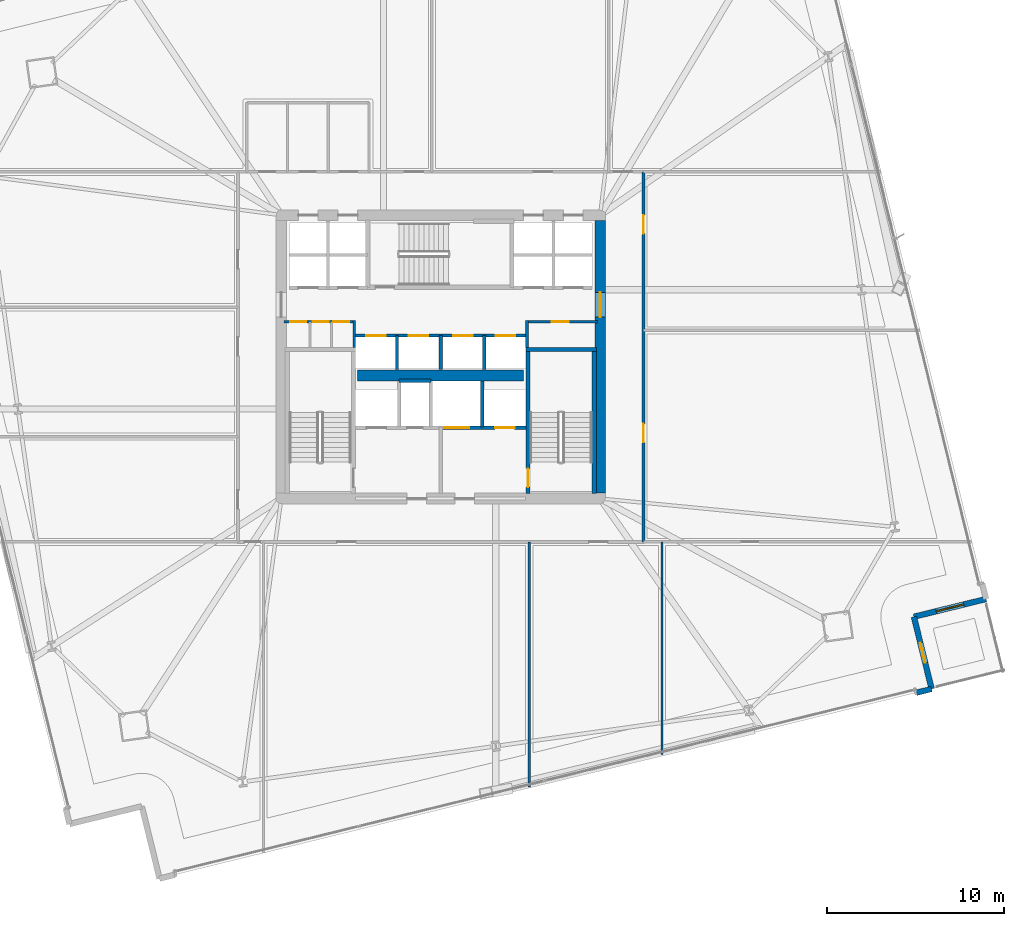
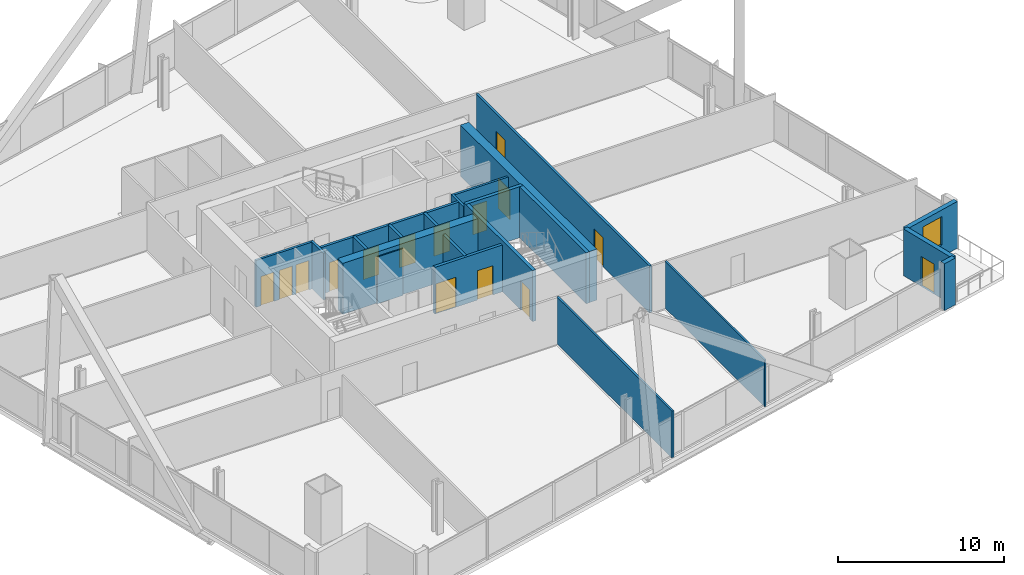
# One storey, part 25 of 32: 22 walls, 15 doors, 1 window, 16 openings.
"""IFC4 building model written with IfcOpenShell, lengths in metres."""

from ifc_helpers import new_model, si_unit, direction, frame, frame_2d, origin, place, context, subcontext, project, spatial, rectangle, extrude, material, layer, layer_set, type_object, element, fill, save


model = new_model("IFC4")

# Units and contexts
model_context = context("Model", 3, precision=1e-05, world=origin(), true_north=direction((0.0, 1.0)))
body_context = subcontext(model_context, "Body", "Model", "MODEL_VIEW")
ifc_project = project(units=[si_unit("LENGTHUNIT", "METRE"), si_unit("AREAUNIT", "SQUARE_METRE"), si_unit("VOLUMEUNIT", "CUBIC_METRE"), si_unit("PLANEANGLEUNIT", "RADIAN"), si_unit("MASSUNIT", "GRAM", prefix="KILO")], contexts=[model_context])

# Site, building, storey
site_placement = place(None, origin())
site = spatial("IfcSite", under=ifc_project, at=site_placement, CompositionType="ELEMENT")
building_placement = place(site_placement, origin())
building = spatial("IfcBuilding", under=site, at=building_placement, Name="Haldenkirk Collegiate Tower", CompositionType="ELEMENT")
storey_placement = place(building_placement, frame((0.0, 0.0, 73.949951171875)))
storey = spatial("IfcBuildingStorey", under=building, at=storey_placement, Name="L17", CompositionType="ELEMENT", Elevation=73.949951171875)

# Wall, opening, door
ifc_material_1 = material(Name="Concrete f'c 70 MPa", Category="concrete")
ifc_layer_1 = layer(ifc_material_1, 0.60009765625)
ifc_layer_set_1 = layer_set([ifc_layer_1], Name="Concrete f'c 70 MPa")
wall_type_1 = type_object("IfcWallType", Name="WL-CORE-600", PredefinedType="SHEAR", material=ifc_layer_set_1)
wall_1_placement = place(storey_placement, frame((45.0, 18.300048828125, 0.0), z_axis=(0.0, 0.0, 1.0), x_axis=(0.0, 1.0, 0.0)))
wall_1 = element("IfcWall", 1, at=wall_1_placement, inside=storey, type_object=wall_type_1, Name="L17 central core shear wall E", PredefinedType="SHEAR", context=body_context, shape_type="SweptSolid", body=[
    extrude(rectangle(XDim=15.39990234375, YDim=0.60009765625, at=frame_2d((7.699951171875, 0.0))), origin(), (0.0, 0.0, 1.0), 3.75),
])
opening_1_placement = place(wall_1_placement, frame((9.93994140625, 0.0, 0.0)))
opening_1 = element("IfcOpeningElement", 2, at=opening_1_placement, cuts=wall_1, Name="Opening D-03", PredefinedType="OPENING", context=body_context, shape_type="SweptSolid", body=[
    extrude(rectangle(XDim=1.39990234375, YDim=2.199951171875, at=frame_2d((0.699951171875, 1.10009765625))), frame((0.0, 0.31005859375, 0.0), z_axis=(0.0, -1.0, 0.0), x_axis=(1.0, 0.0, 0.0)), (0.0, 0.0, 1.0), 0.6201171875),
])
ifc_material_2 = material(Name="Galvanized fire-rated hollow steel door", Category="steel")
ifc_layer_2 = layer(ifc_material_2, 0.06005859375)
ifc_layer_set_2 = layer_set([ifc_layer_2], Name="Galvanized fire-rated hollow steel door")
door_type_1 = type_object("IfcDoorType", Name="DR-LOBBY-FD90-1400", OperationType="NOTDEFINED", PredefinedType="DOOR", material=ifc_layer_set_2)
door_1_placement = place(opening_1_placement, origin())
door_1 = element("IfcDoor", 3, at=door_1_placement, inside=storey, type_object=door_type_1, Name="L17 east lift lobby portal", OperationType="DOUBLE_DOOR_SINGLE_SWING", OverallHeight=2.199951171875, OverallWidth=1.39990234375, PredefinedType="DOOR", context=body_context, shape_type="SweptSolid", body=[
    extrude(rectangle(XDim=1.39990234375, YDim=2.199951171875, at=frame_2d((0.699951171875, 1.10009765625))), frame((0.0, 0.02490234375, 0.0), z_axis=(0.0, -1.0, 0.0), x_axis=(1.0, 0.0, 0.0)), (0.0, 0.0, 1.0), 0.050048828125),
])
fill(opening_1, door_1)

# Walls
wall_2_placement = place(storey_placement, frame((31.31005859375, 24.949951171875, 0.0), z_axis=(0.0, 0.0, 1.0), x_axis=(1.0, 0.0, 0.0)))
element("IfcWall", 4, at=wall_2_placement, inside=storey, type_object=wall_type_1, Name="L17 central core spine shear wall", PredefinedType="SHEAR", context=body_context, shape_type="SweptSolid", body=[
    extrude(rectangle(XDim=9.3798828125, YDim=0.60009765625, at=frame_2d((4.68994140625, 0.0))), origin(), (0.0, 0.0, 1.0), 3.75),
])
ifc_material_3 = material(Name="Precast concrete f'c 40 MPa", Category="concrete")
ifc_layer_3 = layer(ifc_material_3, 0.320068359375)
ifc_layer_set_3 = layer_set([ifc_layer_3], Name="Precast concrete f'c 40 MPa")
wall_type_2 = type_object("IfcWallType", Name="WL-EXT-TWR-320", PredefinedType="STANDARD", material=ifc_layer_set_3)
wall_3_placement = place(storey_placement, frame((63.7236328125, 7.24658203125, 0.0), z_axis=(0.0, 0.0, 1.0), x_axis=(-0.971155160294, -0.238448431815, 0.0)))
element("IfcWall", 5, at=wall_3_placement, inside=storey, type_object=wall_type_2, Name="L17 precast corner pier SL", PredefinedType="STANDARD", context=body_context, shape_type="SweptSolid", body=[
    extrude(rectangle(XDim=0.89990234375, YDim=0.320068359375, at=frame_2d((0.449951171875, 0.0))), origin(), (0.0, 0.0, 1.0), 3.43994140625),
])

# Wall, opening, door
wall_4_placement = place(storey_placement, frame((62.7216796875, 11.325439453125, 0.0), z_axis=(0.0, 0.0, 1.0), x_axis=(0.238553587824, -0.971129335226, 0.0)))
wall_4 = element("IfcWall", 6, at=wall_4_placement, inside=storey, type_object=wall_type_2, Name="L17 bronze precast notch wall 02", PredefinedType="STANDARD", context=body_context, shape_type="SweptSolid", body=[
    extrude(rectangle(XDim=4.2001953125, YDim=0.320068359375, at=frame_2d((2.10009765625, 0.0))), origin(), (0.0, 0.0, 1.0), 3.43994140625),
])
opening_2_placement = place(wall_4_placement, frame((1.52490234375, 0.0, 0.0)))
opening_2 = element("IfcOpeningElement", 7, at=opening_2_placement, cuts=wall_4, Name="Opening D-ST11", PredefinedType="OPENING", context=body_context, shape_type="SweptSolid", body=[
    extrude(rectangle(XDim=1.14990234375, YDim=2.199951171875, at=frame_2d((0.574951171875, 1.10009765625))), frame((0.0, 0.169921875, 0.0), z_axis=(0.0, -1.0, 0.0), x_axis=(1.0, 0.0, 0.0)), (0.0, 0.0, 1.0), 0.340087890625),
])
ifc_material_4 = material(Name="Anodised architectural bronze aluminium", Category="aluminium")
ifc_layer_4 = layer(ifc_material_4, 0.080078125)
ifc_layer_set_4 = layer_set([ifc_layer_4], Name="Anodised architectural bronze aluminium")
door_type_2 = type_object("IfcDoorType", Name="DR-EXT-STER-1150", OperationType="NOTDEFINED", PredefinedType="DOOR", material=ifc_layer_set_4)
door_2_placement = place(opening_2_placement, origin())
door_2 = element("IfcDoor", 8, at=door_2_placement, inside=storey, type_object=door_type_2, Name="L17 spiralling terrace door", OperationType="SINGLE_SWING_RIGHT", OverallHeight=2.199951171875, OverallWidth=1.14990234375, PredefinedType="DOOR", context=body_context, shape_type="SweptSolid", body=[
    extrude(rectangle(XDim=1.14990234375, YDim=2.199951171875, at=frame_2d((0.574951171875, 1.10009765625))), frame((0.0, 0.02490234375, 0.0), z_axis=(0.0, -1.0, 0.0), x_axis=(1.0, 0.0, 0.0)), (0.0, 0.0, 1.0), 0.050048828125),
])
fill(opening_2, door_2)

# Wall, opening, window
wall_5_placement = place(storey_placement, frame((66.800537109375, 12.327392578125, 0.0), z_axis=(0.0, 0.0, 1.0), x_axis=(-0.971129335226, -0.238553587824, 0.0)))
wall_5 = element("IfcWall", 9, at=wall_5_placement, inside=storey, type_object=wall_type_2, Name="L17 bronze precast notch wall 03", PredefinedType="STANDARD", context=body_context, shape_type="SweptSolid", body=[
    extrude(rectangle(XDim=4.2001953125, YDim=0.320068359375, at=frame_2d((2.10009765625, 0.0))), origin(), (0.0, 0.0, 1.0), 3.43994140625),
])
opening_3_placement = place(wall_5_placement, frame((1.300048828125, 0.0, 0.85009765625)))
opening_3 = element("IfcOpeningElement", 10, at=opening_3_placement, cuts=wall_5, Name="Opening W-03", PredefinedType="OPENING", context=body_context, shape_type="SweptSolid", body=[
    extrude(rectangle(XDim=1.60009765625, YDim=2.10009765625, at=frame_2d((0.800048828125, 1.050048828125))), frame((0.0, 0.169921875, 0.0), z_axis=(0.0, -1.0, 0.0), x_axis=(1.0, 0.0, 0.0)), (0.0, 0.0, 1.0), 0.340087890625),
])
ifc_material_5 = material(Name="Low-E argon triple insulating glass", Category="glass")
ifc_layer_5 = layer(ifc_material_5, 0.090087890625)
ifc_layer_set_5 = layer_set([ifc_layer_5], Name="Low-E argon triple insulating glass")
window_type = type_object("IfcWindowType", Name="WN-Z1-1600X2100", PartitioningType="SINGLE_PANEL", PredefinedType="WINDOW", material=ifc_layer_set_5)
window_placement = place(opening_3_placement, origin())
window = element("IfcWindow", 11, at=window_placement, inside=storey, type_object=window_type, Name="L17 precast-frame academic window 2", OverallHeight=2.10009765625, OverallWidth=1.60009765625, PartitioningType="SINGLE_PANEL", PredefinedType="WINDOW", context=body_context, shape_type="SweptSolid", body=[
    extrude(rectangle(XDim=1.60009765625, YDim=2.10009765625, at=frame_2d((0.800048828125, 1.050048828125))), frame((0.0, 0.030029296875, 0.0), z_axis=(0.0, -1.0, 0.0), x_axis=(1.0, 0.0, 0.0)), (0.0, 0.0, 1.0), 0.06005859375),
])
fill(opening_3, window)

# Wall, openings, doors
ifc_material_6 = material(Name="Acoustic fire-rated gypsum partition", Category="concrete")
ifc_layer_6 = layer(ifc_material_6, 0.159912109375)
ifc_layer_set_6 = layer_set([ifc_layer_6], Name="Acoustic fire-rated gypsum partition")
wall_type_3 = type_object("IfcWallType", Name="WL-INT-CORR-160", PredefinedType="PARTITIONING", material=ifc_layer_set_6)
wall_6_placement = place(storey_placement, frame((27.14990234375, 27.97998046875, 0.0), z_axis=(0.0, 0.0, 1.0), x_axis=(1.0, 0.0, 0.0)))
wall_6 = element("IfcWall", 12, at=wall_6_placement, inside=storey, type_object=wall_type_3, Name="L17 interior partition IW-L17-VCSW-N", PredefinedType="PARTITIONING", context=body_context, shape_type="SweptSolid", body=[
    extrude(rectangle(XDim=4.050048828125, YDim=0.159912109375, at=frame_2d((2.02490234375, 0.0))), origin(), (0.0, 0.0, 1.0), 3.43994140625),
])
opening_4_placement = place(wall_6_placement, frame((0.360107421875, 0.0, 0.0)))
opening_4 = element("IfcOpeningElement", 13, at=opening_4_placement, cuts=wall_6, Name="Opening D-11", PredefinedType="OPENING", context=body_context, shape_type="SweptSolid", body=[
    extrude(rectangle(XDim=0.89990234375, YDim=2.14990234375, at=frame_2d((0.449951171875, 1.074951171875))), frame((0.0, 0.08984375, 0.0), z_axis=(0.0, -1.0, 0.0), x_axis=(1.0, 0.0, 0.0)), (0.0, 0.0, 1.0), 0.179931640625),
])
opening_5_placement = place(wall_6_placement, frame((1.6298828125, 0.0, 0.0)))
opening_5 = element("IfcOpeningElement", 14, at=opening_5_placement, cuts=wall_6, Name="Opening D-11", PredefinedType="OPENING", context=body_context, shape_type="SweptSolid", body=[
    extrude(rectangle(XDim=0.89990234375, YDim=2.14990234375, at=frame_2d((0.449951171875, 1.074951171875))), frame((0.0, 0.08984375, 0.0), z_axis=(0.0, -1.0, 0.0), x_axis=(1.0, 0.0, 0.0)), (0.0, 0.0, 1.0), 0.179931640625),
])
opening_6_placement = place(wall_6_placement, frame((2.78759765625, 0.0, 0.0)))
opening_6 = element("IfcOpeningElement", 15, at=opening_6_placement, cuts=wall_6, Name="Opening D-11", PredefinedType="OPENING", context=body_context, shape_type="SweptSolid", body=[
    extrude(rectangle(XDim=0.89990234375, YDim=2.14990234375, at=frame_2d((0.449951171875, 1.074951171875))), frame((0.0, 0.08984375, 0.0), z_axis=(0.0, -1.0, 0.0), x_axis=(1.0, 0.0, 0.0)), (0.0, 0.0, 1.0), 0.179931640625),
])
ifc_material_7 = material(Name="Solid-core architectural oak fire door", Category="wood")
ifc_layer_7 = layer(ifc_material_7, 0.06005859375)
ifc_layer_set_7 = layer_set([ifc_layer_7], Name="Solid-core architectural oak fire door")
door_type_3 = type_object("IfcDoorType", Name="DR-INT-FD60-900", OperationType="NOTDEFINED", PredefinedType="DOOR", material=ifc_layer_set_7)
door_3_placement = place(opening_4_placement, origin())
door_3 = element("IfcDoor", 16, at=door_3_placement, inside=storey, type_object=door_type_3, Name="L17 core study booth door", OperationType="SINGLE_SWING_RIGHT", OverallHeight=2.14990234375, OverallWidth=0.89990234375, PredefinedType="DOOR", context=body_context, shape_type="SweptSolid", body=[
    extrude(rectangle(XDim=0.89990234375, YDim=2.14990234375, at=frame_2d((0.449951171875, 1.074951171875))), frame((0.0, 0.02490234375, 0.0), z_axis=(0.0, -1.0, 0.0), x_axis=(1.0, 0.0, 0.0)), (0.0, 0.0, 1.0), 0.050048828125),
])
fill(opening_4, door_3)
door_4_placement = place(opening_5_placement, origin())
door_4 = element("IfcDoor", 17, at=door_4_placement, inside=storey, type_object=door_type_3, Name="L17 core cleaners door", OperationType="SINGLE_SWING_LEFT", OverallHeight=2.14990234375, OverallWidth=0.89990234375, PredefinedType="DOOR", context=body_context, shape_type="SweptSolid", body=[
    extrude(rectangle(XDim=0.89990234375, YDim=2.14990234375, at=frame_2d((0.449951171875, 1.074951171875))), frame((0.0, 0.02490234375, 0.0), z_axis=(0.0, -1.0, 0.0), x_axis=(1.0, 0.0, 0.0)), (0.0, 0.0, 1.0), 0.050048828125),
])
fill(opening_5, door_4)
door_5_placement = place(opening_6_placement, origin())
door_5 = element("IfcDoor", 18, at=door_5_placement, inside=storey, type_object=door_type_3, Name="L17 core stationery door", OperationType="SINGLE_SWING_RIGHT", OverallHeight=2.14990234375, OverallWidth=0.89990234375, PredefinedType="DOOR", context=body_context, shape_type="SweptSolid", body=[
    extrude(rectangle(XDim=0.89990234375, YDim=2.14990234375, at=frame_2d((0.449951171875, 1.074951171875))), frame((0.0, 0.02490234375, 0.0), z_axis=(0.0, -1.0, 0.0), x_axis=(1.0, 0.0, 0.0)), (0.0, 0.0, 1.0), 0.050048828125),
])
fill(opening_6, door_5)

# Wall
wall_7_placement = place(storey_placement, frame((31.1201171875, 26.5400390625, 0.0), z_axis=(0.0, 0.0, 1.0), x_axis=(0.0, 1.0, 0.0)))
element("IfcWall", 19, at=wall_7_placement, inside=storey, type_object=wall_type_3, Name="L17 interior partition IW-L17-VCSW-E", PredefinedType="PARTITIONING", context=body_context, shape_type="SweptSolid", body=[
    extrude(rectangle(XDim=1.510009765625, YDim=0.159912109375, at=frame_2d((0.7548828125, 0.0))), origin(), (0.0, 0.0, 1.0), 3.43994140625),
])

# Wall, opening, door
wall_8_placement = place(storey_placement, frame((40.800048828125, 27.97998046875, 0.0), z_axis=(0.0, 0.0, 1.0), x_axis=(1.0, 0.0, 0.0)))
wall_8 = element("IfcWall", 20, at=wall_8_placement, inside=storey, type_object=wall_type_3, Name="L17 interior partition IW-L17-VCSE-N", PredefinedType="PARTITIONING", context=body_context, shape_type="SweptSolid", body=[
    extrude(rectangle(XDim=4.050048828125, YDim=0.159912109375, at=frame_2d((2.02490234375, 0.0))), origin(), (0.0, 0.0, 1.0), 3.43994140625),
])
opening_7_placement = place(wall_8_placement, frame((1.47509765625, 0.0, 0.0)))
opening_7 = element("IfcOpeningElement", 21, at=opening_7_placement, cuts=wall_8, Name="Opening D-10", PredefinedType="OPENING", context=body_context, shape_type="SweptSolid", body=[
    extrude(rectangle(XDim=0.949951171875, YDim=2.14990234375, at=frame_2d((0.47509765625, 1.074951171875))), frame((0.0, 0.08984375, 0.0), z_axis=(0.0, -1.0, 0.0), x_axis=(1.0, 0.0, 0.0)), (0.0, 0.0, 1.0), 0.179931640625),
])
ifc_layer_8 = layer(ifc_material_7, 0.06005859375)
ifc_layer_set_8 = layer_set([ifc_layer_8], Name="Solid-core architectural oak fire door")
door_type_4 = type_object("IfcDoorType", Name="DR-INT-FD60-950", OperationType="NOTDEFINED", PredefinedType="DOOR", material=ifc_layer_set_8)
door_6_placement = place(opening_7_placement, origin())
door_6 = element("IfcDoor", 22, at=door_6_placement, inside=storey, type_object=door_type_4, Name="L17 core archive vault door", OperationType="SINGLE_SWING_LEFT", OverallHeight=2.14990234375, OverallWidth=0.949951171875, PredefinedType="DOOR", context=body_context, shape_type="SweptSolid", body=[
    extrude(rectangle(XDim=0.949951171875, YDim=2.14990234375, at=frame_2d((0.47509765625, 1.074951171875))), frame((0.0, 0.02490234375, 0.0), z_axis=(0.0, -1.0, 0.0), x_axis=(1.0, 0.0, 0.0)), (0.0, 0.0, 1.0), 0.050048828125),
])
fill(opening_7, door_6)

# Wall
wall_9_placement = place(storey_placement, frame((40.8798828125, 26.5400390625, 0.0), z_axis=(0.0, 0.0, 1.0), x_axis=(0.0, 1.0, 0.0)))
element("IfcWall", 23, at=wall_9_placement, inside=storey, type_object=wall_type_3, Name="L17 interior partition IW-L17-VCSE-W", PredefinedType="PARTITIONING", context=body_context, shape_type="SweptSolid", body=[
    extrude(rectangle(XDim=1.510009765625, YDim=0.159912109375, at=frame_2d((0.7548828125, 0.0))), origin(), (0.0, 0.0, 1.0), 3.43994140625),
])

# Wall, openings, doors
wall_10_placement = place(storey_placement, frame((47.449951171875, 15.550048828125, 0.0), z_axis=(0.0, 0.0, 1.0), x_axis=(0.0, 1.0, 0.0)))
wall_10 = element("IfcWall", 24, at=wall_10_placement, inside=storey, type_object=wall_type_3, Name="L17 interior partition IW-L17-CE", PredefinedType="PARTITIONING", context=body_context, shape_type="SweptSolid", body=[
    extrude(rectangle(XDim=20.89990234375, YDim=0.159912109375, at=frame_2d((10.449951171875, 0.0))), origin(), (0.0, 0.0, 1.0), 3.43994140625),
])
opening_8_placement = place(wall_10_placement, frame((5.615966796875, 0.0, 0.0)))
opening_8 = element("IfcOpeningElement", 25, at=opening_8_placement, cuts=wall_10, Name="Opening D-09", PredefinedType="OPENING", context=body_context, shape_type="SweptSolid", body=[
    extrude(rectangle(XDim=1.050048828125, YDim=2.14990234375, at=frame_2d((0.52490234375, 1.074951171875))), frame((0.0, 0.08984375, 0.0), z_axis=(0.0, -1.0, 0.0), x_axis=(1.0, 0.0, 0.0)), (0.0, 0.0, 1.0), 0.179931640625),
])
opening_9_placement = place(wall_10_placement, frame((17.405029296875, 0.0, 0.0)))
opening_9 = element("IfcOpeningElement", 26, at=opening_9_placement, cuts=wall_10, Name="Opening D-09", PredefinedType="OPENING", context=body_context, shape_type="SweptSolid", body=[
    extrude(rectangle(XDim=1.050048828125, YDim=2.14990234375, at=frame_2d((0.52490234375, 1.074951171875))), frame((0.0, 0.08984375, 0.0), z_axis=(0.0, -1.0, 0.0), x_axis=(1.0, 0.0, 0.0)), (0.0, 0.0, 1.0), 0.179931640625),
])
ifc_layer_9 = layer(ifc_material_7, 0.06005859375)
ifc_layer_set_9 = layer_set([ifc_layer_9], Name="Solid-core architectural oak fire door")
door_type_5 = type_object("IfcDoorType", Name="DR-INT-FD60-1050", OperationType="NOTDEFINED", PredefinedType="DOOR", material=ifc_layer_set_9)
door_7_placement = place(opening_8_placement, origin())
door_7 = element("IfcDoor", 27, at=door_7_placement, inside=storey, type_object=door_type_5, Name="L17 Urbanism Pin-Up Studio 11 door", OperationType="SINGLE_SWING_LEFT", OverallHeight=2.14990234375, OverallWidth=1.050048828125, PredefinedType="DOOR", context=body_context, shape_type="SweptSolid", body=[
    extrude(rectangle(XDim=1.050048828125, YDim=2.14990234375, at=frame_2d((0.52490234375, 1.074951171875))), frame((0.0, 0.02490234375, 0.0), z_axis=(0.0, -1.0, 0.0), x_axis=(1.0, 0.0, 0.0)), (0.0, 0.0, 1.0), 0.050048828125),
])
fill(opening_8, door_7)
door_8_placement = place(opening_9_placement, origin())
door_8 = element("IfcDoor", 28, at=door_8_placement, inside=storey, type_object=door_type_5, Name="L17 Exhibition Gallery Studio 12 door", OperationType="SINGLE_SWING_RIGHT", OverallHeight=2.14990234375, OverallWidth=1.050048828125, PredefinedType="DOOR", context=body_context, shape_type="SweptSolid", body=[
    extrude(rectangle(XDim=1.050048828125, YDim=2.14990234375, at=frame_2d((0.52490234375, 1.074951171875))), frame((0.0, 0.02490234375, 0.0), z_axis=(0.0, -1.0, 0.0), x_axis=(1.0, 0.0, 0.0)), (0.0, 0.0, 1.0), 0.050048828125),
])
fill(opening_9, door_8)

# Walls
ifc_layer_10 = layer(ifc_material_6, 0.139892578125)
ifc_layer_set_10 = layer_set([ifc_layer_10], Name="Acoustic fire-rated gypsum partition")
wall_type_4 = type_object("IfcWallType", Name="WL-INT-DIV-140", PredefinedType="PARTITIONING", material=ifc_layer_set_10)
wall_11_placement = place(storey_placement, frame((41.0, 1.706298828125, 0.0), z_axis=(0.0, 0.0, 1.0), x_axis=(0.0, 1.0, 0.0)))
element("IfcWall", 29, at=wall_11_placement, inside=storey, type_object=wall_type_4, Name="L17 interior partition IW-L17-RS2", PredefinedType="PARTITIONING", context=body_context, shape_type="SweptSolid", body=[
    extrude(rectangle(XDim=13.84375, YDim=0.139892578125, at=frame_2d((6.921875, 0.0))), origin(), (0.0, 0.0, 1.0), 3.43994140625),
])
ifc_material_8 = material(Name="Fire-rated gypsum shaftboard assembly", Category="concrete")
ifc_layer_11 = layer(ifc_material_8, 0.179931640625)
ifc_layer_set_11 = layer_set([ifc_layer_11], Name="Fire-rated gypsum shaftboard assembly")
wall_type_5 = type_object("IfcWallType", Name="WL-INT-SHAFT-180", PredefinedType="PARTITIONING", material=ifc_layer_set_11)
wall_12_placement = place(storey_placement, frame((33.64990234375, 24.64990234375, 0.0), z_axis=(0.0, 0.0, 1.0), x_axis=(1.0, 0.0, 0.0)))
element("IfcWall", 30, at=wall_12_placement, inside=storey, type_object=wall_type_5, Name="L17 interior partition IW-L17-RSRN", PredefinedType="PARTITIONING", context=body_context, shape_type="SweptSolid", body=[
    extrude(rectangle(XDim=1.800048828125, YDim=0.179931640625, at=frame_2d((0.89990234375, 0.0))), origin(), (0.0, 0.0, 1.0), 3.43994140625),
])
wall_13_placement = place(storey_placement, frame((38.35009765625, 22.050048828125, 0.0), z_axis=(0.0, 0.0, 1.0), x_axis=(0.0, 1.0, 0.0)))
element("IfcWall", 31, at=wall_13_placement, inside=storey, type_object=wall_type_5, Name="L17 interior partition IW-L17-GL1E", PredefinedType="PARTITIONING", context=body_context, shape_type="SweptSolid", body=[
    extrude(rectangle(XDim=2.599853515625, YDim=0.179931640625, at=frame_2d((1.2998046875, 0.0))), origin(), (0.0, 0.0, 1.0), 3.43994140625),
])

# Wall, openings, doors
wall_14_placement = place(storey_placement, frame((31.199951171875, 27.199951171875, 0.0), z_axis=(0.0, 0.0, 1.0), x_axis=(1.0, 0.0, 0.0)))
wall_14 = element("IfcWall", 32, at=wall_14_placement, inside=storey, type_object=wall_type_5, Name="L17 interior partition IW-L17-PHN", PredefinedType="PARTITIONING", context=body_context, shape_type="SweptSolid", body=[
    extrude(rectangle(XDim=9.60009765625, YDim=0.179931640625, at=frame_2d((4.800048828125, 0.0))), origin(), (0.0, 0.0, 1.0), 3.43994140625),
])
opening_10_placement = place(wall_14_placement, frame((0.590087890625, 0.0, 0.0)))
opening_10 = element("IfcOpeningElement", 33, at=opening_10_placement, cuts=wall_14, Name="Opening LD-11", PredefinedType="OPENING", context=body_context, shape_type="SweptSolid", body=[
    extrude(rectangle(XDim=1.10009765625, YDim=2.14990234375, at=frame_2d((0.550048828125, 1.074951171875))), frame((0.0, 0.099853515625, 0.0), z_axis=(0.0, -1.0, 0.0), x_axis=(1.0, 0.0, 0.0)), (0.0, 0.0, 1.0), 0.199951171875),
])
opening_11_placement = place(wall_14_placement, frame((2.989990234375, 0.0, 0.0)))
opening_11 = element("IfcOpeningElement", 34, at=opening_11_placement, cuts=wall_14, Name="Opening LD-11", PredefinedType="OPENING", context=body_context, shape_type="SweptSolid", body=[
    extrude(rectangle(XDim=1.10009765625, YDim=2.14990234375, at=frame_2d((0.550048828125, 1.074951171875))), frame((0.0, 0.099853515625, 0.0), z_axis=(0.0, -1.0, 0.0), x_axis=(1.0, 0.0, 0.0)), (0.0, 0.0, 1.0), 0.199951171875),
])
opening_12_placement = place(wall_14_placement, frame((5.510009765625, 0.0, 0.0)))
opening_12 = element("IfcOpeningElement", 35, at=opening_12_placement, cuts=wall_14, Name="Opening LD-11", PredefinedType="OPENING", context=body_context, shape_type="SweptSolid", body=[
    extrude(rectangle(XDim=1.10009765625, YDim=2.14990234375, at=frame_2d((0.550048828125, 1.074951171875))), frame((0.0, 0.099853515625, 0.0), z_axis=(0.0, -1.0, 0.0), x_axis=(1.0, 0.0, 0.0)), (0.0, 0.0, 1.0), 0.199951171875),
])
opening_13_placement = place(wall_14_placement, frame((7.909912109375, 0.0, 0.0)))
opening_13 = element("IfcOpeningElement", 36, at=opening_13_placement, cuts=wall_14, Name="Opening LD-11", PredefinedType="OPENING", context=body_context, shape_type="SweptSolid", body=[
    extrude(rectangle(XDim=1.10009765625, YDim=2.14990234375, at=frame_2d((0.550048828125, 1.074951171875))), frame((0.0, 0.099853515625, 0.0), z_axis=(0.0, -1.0, 0.0), x_axis=(1.0, 0.0, 0.0)), (0.0, 0.0, 1.0), 0.199951171875),
])
ifc_material_9 = material(Name="Brushed architectural stainless steel", Category="steel")
ifc_layer_12 = layer(ifc_material_9, 0.06005859375)
ifc_layer_set_12 = layer_set([ifc_layer_12], Name="Brushed architectural stainless steel")
door_type_6 = type_object("IfcDoorType", Name="LD-PASS-1100", OperationType="NOTDEFINED", PredefinedType="DOOR", material=ifc_layer_set_12)
door_9_placement = place(opening_10_placement, origin())
door_9 = element("IfcDoor", 37, at=door_9_placement, inside=storey, type_object=door_type_6, Name="L17 Elevator PH1 sliding landing door", OperationType="SLIDING_TO_LEFT", OverallHeight=2.14990234375, OverallWidth=1.10009765625, PredefinedType="DOOR", context=body_context, shape_type="SweptSolid", body=[
    extrude(rectangle(XDim=1.10009765625, YDim=2.14990234375, at=frame_2d((0.550048828125, 1.074951171875))), frame((0.0, 0.02490234375, 0.0), z_axis=(0.0, -1.0, 0.0), x_axis=(1.0, 0.0, 0.0)), (0.0, 0.0, 1.0), 0.050048828125),
])
fill(opening_10, door_9)
door_10_placement = place(opening_11_placement, origin())
door_10 = element("IfcDoor", 38, at=door_10_placement, inside=storey, type_object=door_type_6, Name="L17 Elevator PH2 sliding landing door", OperationType="SLIDING_TO_LEFT", OverallHeight=2.14990234375, OverallWidth=1.10009765625, PredefinedType="DOOR", context=body_context, shape_type="SweptSolid", body=[
    extrude(rectangle(XDim=1.10009765625, YDim=2.14990234375, at=frame_2d((0.550048828125, 1.074951171875))), frame((0.0, 0.02490234375, 0.0), z_axis=(0.0, -1.0, 0.0), x_axis=(1.0, 0.0, 0.0)), (0.0, 0.0, 1.0), 0.050048828125),
])
fill(opening_11, door_10)
door_11_placement = place(opening_12_placement, origin())
door_11 = element("IfcDoor", 39, at=door_11_placement, inside=storey, type_object=door_type_6, Name="L17 Elevator PH3 sliding landing door", OperationType="SLIDING_TO_LEFT", OverallHeight=2.14990234375, OverallWidth=1.10009765625, PredefinedType="DOOR", context=body_context, shape_type="SweptSolid", body=[
    extrude(rectangle(XDim=1.10009765625, YDim=2.14990234375, at=frame_2d((0.550048828125, 1.074951171875))), frame((0.0, 0.02490234375, 0.0), z_axis=(0.0, -1.0, 0.0), x_axis=(1.0, 0.0, 0.0)), (0.0, 0.0, 1.0), 0.050048828125),
])
fill(opening_12, door_11)
door_12_placement = place(opening_13_placement, origin())
door_12 = element("IfcDoor", 40, at=door_12_placement, inside=storey, type_object=door_type_6, Name="L17 Elevator PH4 sliding landing door", OperationType="SLIDING_TO_LEFT", OverallHeight=2.14990234375, OverallWidth=1.10009765625, PredefinedType="DOOR", context=body_context, shape_type="SweptSolid", body=[
    extrude(rectangle(XDim=1.10009765625, YDim=2.14990234375, at=frame_2d((0.550048828125, 1.074951171875))), frame((0.0, 0.02490234375, 0.0), z_axis=(0.0, -1.0, 0.0), x_axis=(1.0, 0.0, 0.0)), (0.0, 0.0, 1.0), 0.050048828125),
])
fill(opening_13, door_12)

# Walls
for number, where, z_axis, x_axis, name in (
    (41, (33.5400390625, 25.300048828125, 0.0), (0.0, 0.0, 1.0), (0.0, 1.0, 0.0), "L17 interior partition IW-L17-PHV1"),
    (42, (36.0, 25.300048828125, 0.0), (0.0, 0.0, 1.0), (0.0, 1.0, 0.0), "L17 interior partition IW-L17-PHV2"),
    (43, (38.4599609375, 25.300048828125, 0.0), (0.0, 0.0, 1.0), (0.0, 1.0, 0.0), "L17 interior partition IW-L17-PHV3"),
):
    element("IfcWall", number, at=place(storey_placement, frame(where, z_axis=z_axis, x_axis=x_axis)), inside=storey, type_object=wall_type_5, Name=name, PredefinedType="PARTITIONING", context=body_context, shape_type="SweptSolid", body=[
        extrude(rectangle(XDim=1.89990234375, YDim=0.179931640625, at=frame_2d((0.949951171875, 0.0))), origin(), (0.0, 0.0, 1.0), 3.43994140625),
    ])

# Wall, openings, doors
ifc_layer_13 = layer(ifc_material_8, 0.199951171875)
ifc_layer_set_13 = layer_set([ifc_layer_13], Name="Fire-rated gypsum shaftboard assembly")
wall_type_6 = type_object("IfcWallType", Name="WL-INT-SHAFT-200", PredefinedType="PARTITIONING", material=ifc_layer_set_13)
wall_15_placement = place(storey_placement, frame((36.1201171875, 22.0, 0.0), z_axis=(0.0, 0.0, 1.0), x_axis=(1.0, 0.0, 0.0)))
wall_15 = element("IfcWall", 44, at=wall_15_placement, inside=storey, type_object=wall_type_6, Name="L17 interior partition IW-L17-FFL2N", PredefinedType="PARTITIONING", context=body_context, shape_type="SweptSolid", body=[
    extrude(rectangle(XDim=4.68994140625, YDim=0.199951171875, at=frame_2d((2.344970703125, 0.0))), origin(), (0.0, 0.0, 1.0), 3.43994140625),
])
opening_14_placement = place(wall_15_placement, frame((2.955078125, 0.0, 0.0)))
opening_14 = element("IfcOpeningElement", 45, at=opening_14_placement, cuts=wall_15, Name="Opening LD-12", PredefinedType="OPENING", context=body_context, shape_type="SweptSolid", body=[
    extrude(rectangle(XDim=1.10009765625, YDim=2.14990234375, at=frame_2d((0.550048828125, 1.074951171875))), frame((0.0, 0.10986328125, 0.0), z_axis=(0.0, -1.0, 0.0), x_axis=(1.0, 0.0, 0.0)), (0.0, 0.0, 1.0), 0.219970703125),
])
opening_15_placement = place(wall_15_placement, frame((0.080078125, 0.0, 0.0)))
opening_15 = element("IfcOpeningElement", 46, at=opening_15_placement, cuts=wall_15, Name="Opening LD-13", PredefinedType="OPENING", context=body_context, shape_type="SweptSolid", body=[
    extrude(rectangle(XDim=1.39990234375, YDim=2.199951171875, at=frame_2d((0.699951171875, 1.10009765625))), frame((0.0, 0.10986328125, 0.0), z_axis=(0.0, -1.0, 0.0), x_axis=(1.0, 0.0, 0.0)), (0.0, 0.0, 1.0), 0.219970703125),
])
ifc_layer_14 = layer(ifc_material_9, 0.06005859375)
ifc_layer_set_14 = layer_set([ifc_layer_14], Name="Brushed architectural stainless steel")
door_type_7 = type_object("IfcDoorType", Name="LD-FIRE-1100", OperationType="NOTDEFINED", PredefinedType="DOOR", material=ifc_layer_set_14)
door_13_placement = place(opening_14_placement, origin())
door_13 = element("IfcDoor", 47, at=door_13_placement, inside=storey, type_object=door_type_7, Name="L17 Elevator FL2 sliding landing door", OperationType="SLIDING_TO_LEFT", OverallHeight=2.14990234375, OverallWidth=1.10009765625, PredefinedType="DOOR", context=body_context, shape_type="SweptSolid", body=[
    extrude(rectangle(XDim=1.10009765625, YDim=2.14990234375, at=frame_2d((0.550048828125, 1.074951171875))), frame((0.0, 0.02490234375, 0.0), z_axis=(0.0, -1.0, 0.0), x_axis=(1.0, 0.0, 0.0)), (0.0, 0.0, 1.0), 0.050048828125),
])
fill(opening_14, door_13)
ifc_layer_15 = layer(ifc_material_9, 0.06005859375)
ifc_layer_set_15 = layer_set([ifc_layer_15], Name="Brushed architectural stainless steel")
door_type_8 = type_object("IfcDoorType", Name="LD-GOODS-1400", OperationType="NOTDEFINED", PredefinedType="DOOR", material=ifc_layer_set_15)
door_14_placement = place(opening_15_placement, origin())
door_14 = element("IfcDoor", 48, at=door_14_placement, inside=storey, type_object=door_type_8, Name="L17 Elevator GL1 sliding landing door", OperationType="SLIDING_TO_LEFT", OverallHeight=2.199951171875, OverallWidth=1.39990234375, PredefinedType="DOOR", context=body_context, shape_type="SweptSolid", body=[
    extrude(rectangle(XDim=1.39990234375, YDim=2.199951171875, at=frame_2d((0.699951171875, 1.10009765625))), frame((0.0, 0.02490234375, 0.0), z_axis=(0.0, -1.0, 0.0), x_axis=(1.0, 0.0, 0.0)), (0.0, 0.0, 1.0), 0.050048828125),
])
fill(opening_15, door_14)

# Wall
ifc_layer_16 = layer(ifc_material_6, 0.1201171875)
ifc_layer_set_16 = layer_set([ifc_layer_16], Name="Acoustic fire-rated gypsum partition")
wall_type_7 = type_object("IfcWallType", Name="WL-INT-WET-120", PredefinedType="PARTITIONING", material=ifc_layer_set_16)
wall_16_placement = place(storey_placement, frame((48.5, 3.548583984375, 0.0), z_axis=(0.0, 0.0, 1.0), x_axis=(0.0, 1.0, 0.0)))
element("IfcWall", 49, at=wall_16_placement, inside=storey, type_object=wall_type_7, Name="L17 interior partition IW-L17-RS3", PredefinedType="PARTITIONING", context=body_context, shape_type="SweptSolid", body=[
    extrude(rectangle(XDim=12.00146484375, YDim=0.1201171875, at=frame_2d((6.000732421875, 0.0))), origin(), (0.0, 0.0, 1.0), 3.43994140625),
])

# Wall, opening, door
ifc_material_10 = material(Name="Concrete f'c 55 MPa", Category="concrete")
ifc_layer_17 = layer(ifc_material_10, 0.239990234375)
ifc_layer_set_17 = layer_set([ifc_layer_17], Name="Concrete f'c 55 MPa")
wall_type_8 = type_object("IfcWallType", Name="WL-SHAFT-240", PredefinedType="SHEAR", material=ifc_layer_set_17)
wall_17_placement = place(storey_placement, frame((40.929931640625, 18.280029296875, 0.0), z_axis=(0.0, 0.0, 1.0), x_axis=(0.0, 1.0, 0.0)))
wall_17 = element("IfcWall", 50, at=wall_17_placement, inside=storey, type_object=wall_type_8, Name="L17 stair shaft shear wall SW-L17-ST2W", PredefinedType="SHEAR", context=body_context, shape_type="SweptSolid", body=[
    extrude(rectangle(XDim=8.260009765625, YDim=0.239990234375, at=frame_2d((4.1298828125, 0.0))), origin(), (0.0, 0.0, 1.0), 3.75),
])
opening_16_placement = place(wall_17_placement, frame((0.364990234375, 0.0, 0.0)))
opening_16 = element("IfcOpeningElement", 51, at=opening_16_placement, cuts=wall_17, Name="Opening D-01", PredefinedType="OPENING", context=body_context, shape_type="SweptSolid", body=[
    extrude(rectangle(XDim=1.050048828125, YDim=2.14990234375, at=frame_2d((0.52490234375, 1.074951171875))), frame((0.0, 0.1298828125, 0.0), z_axis=(0.0, -1.0, 0.0), x_axis=(1.0, 0.0, 0.0)), (0.0, 0.0, 1.0), 0.260009765625),
])
ifc_layer_18 = layer(ifc_material_2, 0.06005859375)
ifc_layer_set_18 = layer_set([ifc_layer_18], Name="Galvanized fire-rated hollow steel door")
door_type_9 = type_object("IfcDoorType", Name="DR-STAIR-FD90-1050", OperationType="NOTDEFINED", PredefinedType="DOOR", material=ifc_layer_set_18)
door_15_placement = place(opening_16_placement, origin())
door_15 = element("IfcDoor", 52, at=door_15_placement, inside=storey, type_object=door_type_9, Name="L17 Stair 2 door", OperationType="SINGLE_SWING_RIGHT", OverallHeight=2.14990234375, OverallWidth=1.050048828125, PredefinedType="DOOR", context=body_context, shape_type="SweptSolid", body=[
    extrude(rectangle(XDim=1.050048828125, YDim=2.14990234375, at=frame_2d((0.52490234375, 1.074951171875))), frame((0.0, 0.02490234375, 0.0), z_axis=(0.0, -1.0, 0.0), x_axis=(1.0, 0.0, 0.0)), (0.0, 0.0, 1.0), 0.050048828125),
])
fill(opening_16, door_15)

# Walls
wall_18_placement = place(storey_placement, frame((40.81005859375, 26.419921875, 0.0), z_axis=(0.0, 0.0, 1.0), x_axis=(1.0, 0.0, 0.0)))
element("IfcWall", 53, at=wall_18_placement, inside=storey, type_object=wall_type_8, Name="L17 stair shaft shear wall SW-L17-ST2N", PredefinedType="SHEAR", context=body_context, shape_type="SweptSolid", body=[
    extrude(rectangle(XDim=3.97998046875, YDim=0.239990234375, at=frame_2d((1.989990234375, 0.0))), origin(), (0.0, 0.0, 1.0), 3.75),
])
wall_19_placement = place(storey_placement, frame((44.669921875, 18.280029296875, 0.0), z_axis=(0.0, 0.0, 1.0), x_axis=(0.0, 1.0, 0.0)))
element("IfcWall", 54, at=wall_19_placement, inside=storey, type_object=wall_type_8, Name="L17 stair shaft shear wall SW-L17-ST2E", PredefinedType="SHEAR", context=body_context, shape_type="SweptSolid", body=[
    extrude(rectangle(XDim=8.260009765625, YDim=0.239990234375, at=frame_2d((4.1298828125, 0.0))), origin(), (0.0, 0.0, 1.0), 3.75),
])

save(model, "model.ifc")
